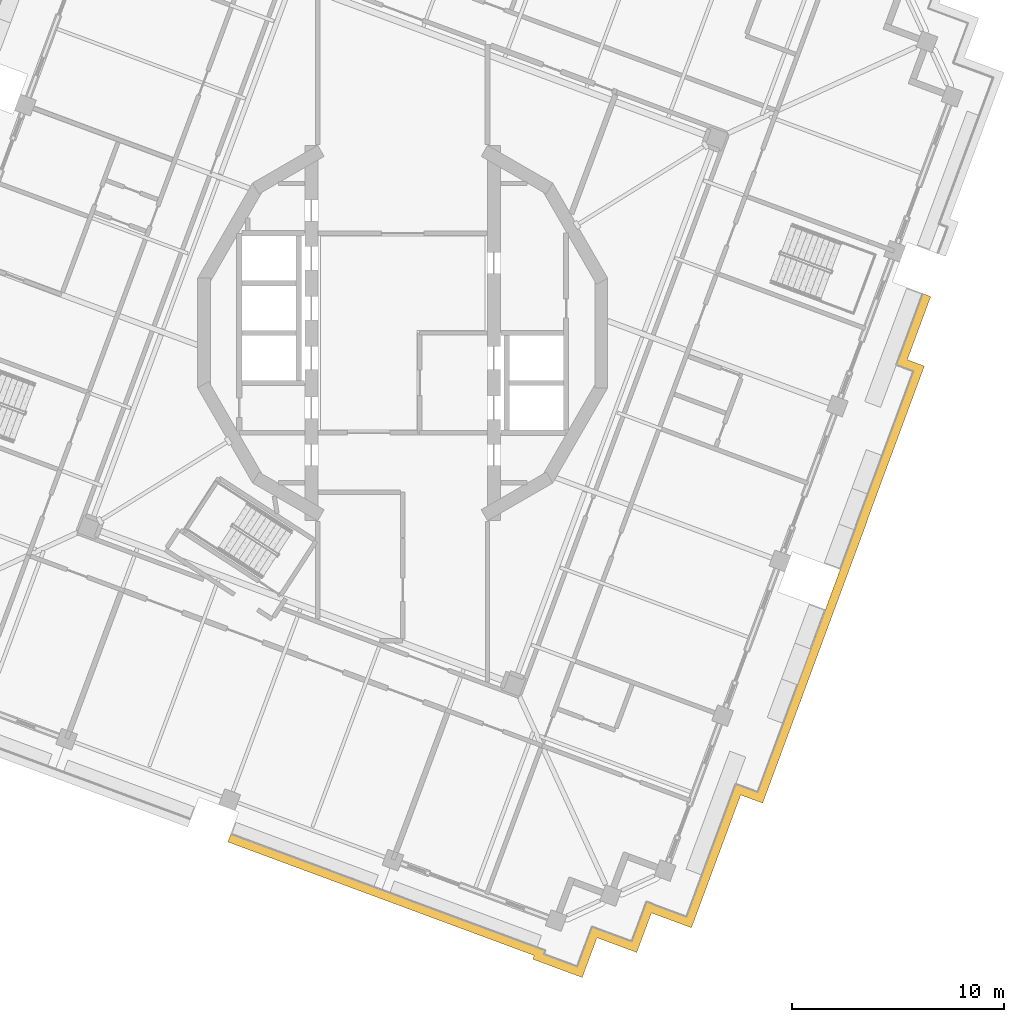
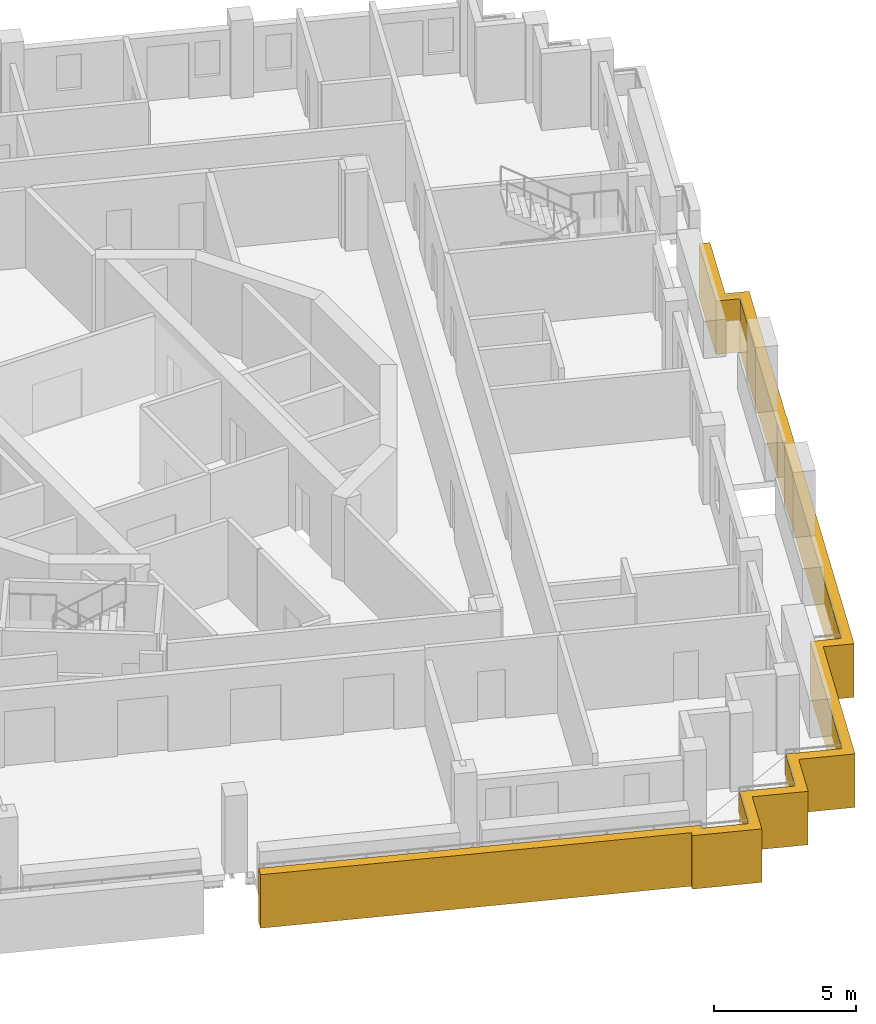
# One storey, part 13 of 18: 1 covering.
"""IFC4 building model written with IfcOpenShell, lengths in metres."""

from ifc_helpers import new_model, si_unit, direction, frame, origin, place, context, subcontext, project, spatial, polyline, outline, extrude, material, type_object, element, save


model = new_model("IFC4")

# Units and contexts
model_context = context("Model", 3, precision=1e-05, world=origin(), true_north=direction((0.0, 1.0)))
body_context = subcontext(model_context, "Body", "Model", "MODEL_VIEW")
ifc_project = project(units=[si_unit("LENGTHUNIT", "METRE"), si_unit("AREAUNIT", "SQUARE_METRE"), si_unit("VOLUMEUNIT", "CUBIC_METRE"), si_unit("PLANEANGLEUNIT", "RADIAN"), si_unit("MASSUNIT", "GRAM", prefix="KILO")], contexts=[model_context])

# Site, building, storey
site_placement = place(None, origin())
site = spatial("IfcSite", under=ifc_project, at=site_placement, CompositionType="ELEMENT")
building_placement = place(site_placement, origin())
building = spatial("IfcBuilding", under=site, at=building_placement, Name="Cantera Rosa Tower", CompositionType="ELEMENT")
storey_placement = place(building_placement, frame((0.0, 0.0, 316.89990234375)))
storey = spatial("IfcBuildingStorey", under=building, at=storey_placement, Name="L70", CompositionType="ELEMENT", Elevation=316.89990234375)

# Covering
ifc_material = material(Name="Cantera stone", Category="masonry")
covering_type = type_object("IfcCoveringType", Name="TRAY FASCIA 400", PredefinedType="CLADDING", material=ifc_material)
covering_placement = place(storey_placement, frame((0.0, 0.0, -1.39990234375)))
element("IfcCovering", 1, at=covering_placement, inside=storey, type_object=covering_type, Name="TRAY FASCIA L70-03", PredefinedType="CLADDING", context=body_context, shape_type="SweptSolid", body=[
    extrude(outline(polyline([(23.77978515625, -1.25830078125), (24.584228515625, -1.556396484375), (21.88525390625, -8.839599609375), (21.897216796875, -8.843994140625), (16.9658203125, -22.151611328125), (15.928955078125, -21.767333984375), (13.609619140625, -28.025390625), (11.72216796875, -27.325927734375), (11.03173828125, -29.18896484375), (9.15625, -28.494140625), (8.46142578125, -30.369384765625), (6.12939453125, -29.50537109375), (6.1943359375, -29.330078125), (0.286865234375, -27.140869140625), (-2.526123046875, -26.098388671875), (-7.402099609375, -24.29150390625), (-8.236572265625, -23.982421875), (-8.09765625, -23.607177734375), (-7.26318359375, -23.91650390625), (-2.38720703125, -25.723388671875), (0.426025390625, -26.765869140625), (6.70849609375, -29.093994140625), (6.6435546875, -29.269287109375), (8.225341796875, -29.85546875), (8.920166015625, -27.97998046875), (9.2138671875, -28.0888671875), (10.795654296875, -28.675048828125), (11.3818359375, -27.09326171875), (11.490478515625, -26.799560546875), (11.7841796875, -26.908447265625), (11.779541015625, -26.920654296875), (13.37353515625, -27.511474609375), (15.69287109375, -21.253173828125), (16.729736328125, -21.637451171875), (19.9189453125, -13.031494140625), (19.91943359375, -13.031494140625), (19.92041015625, -13.031005859375), (19.921142578125, -13.030517578125), (19.922119140625, -13.030029296875), (19.9228515625, -13.029296875), (19.923583984375, -13.02880859375), (19.924072265625, -13.028076171875), (19.924560546875, -13.027099609375), (19.925048828125, -13.0263671875), (19.925537109375, -13.025390625), (20.62060546875, -11.150146484375), (20.620849609375, -11.149169921875), (20.62109375, -11.148193359375), (20.62109375, -11.147216796875), (20.62109375, -11.146240234375), (20.62109375, -11.145263671875), (20.620849609375, -11.144287109375), (20.62060546875, -11.143310546875), (20.6201171875, -11.142333984375), (20.619873046875, -11.1416015625), (20.619384765625, -11.14111328125), (21.383056640625, -9.080078125), (21.371337890625, -9.07568359375), (24.0703125, -1.79248046875), (23.265869140625, -1.494384765625), (24.5087890625, 1.859619140625), (24.8837890625, 1.720458984375), (23.77978515625, -1.25830078125)])), origin(), (0.0, 0.0, 1.0), 2.300048828125),
])

save(model, "model.ifc")
